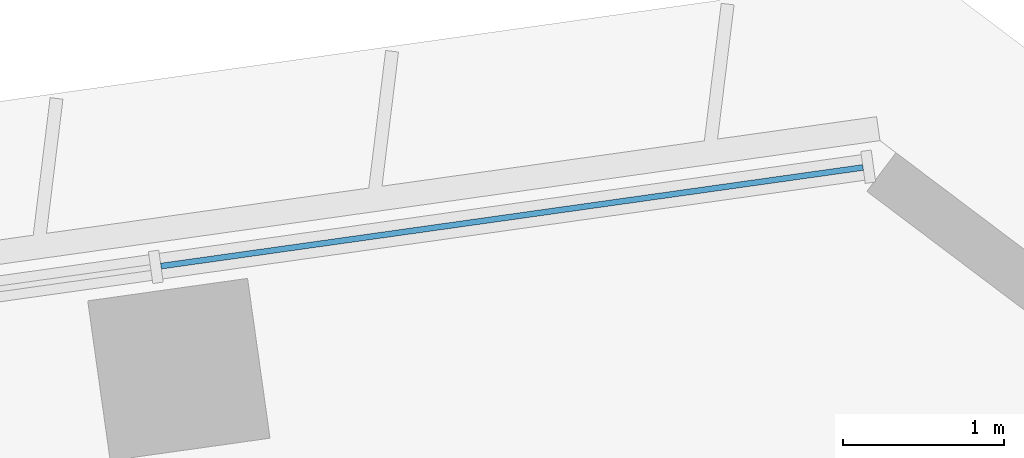
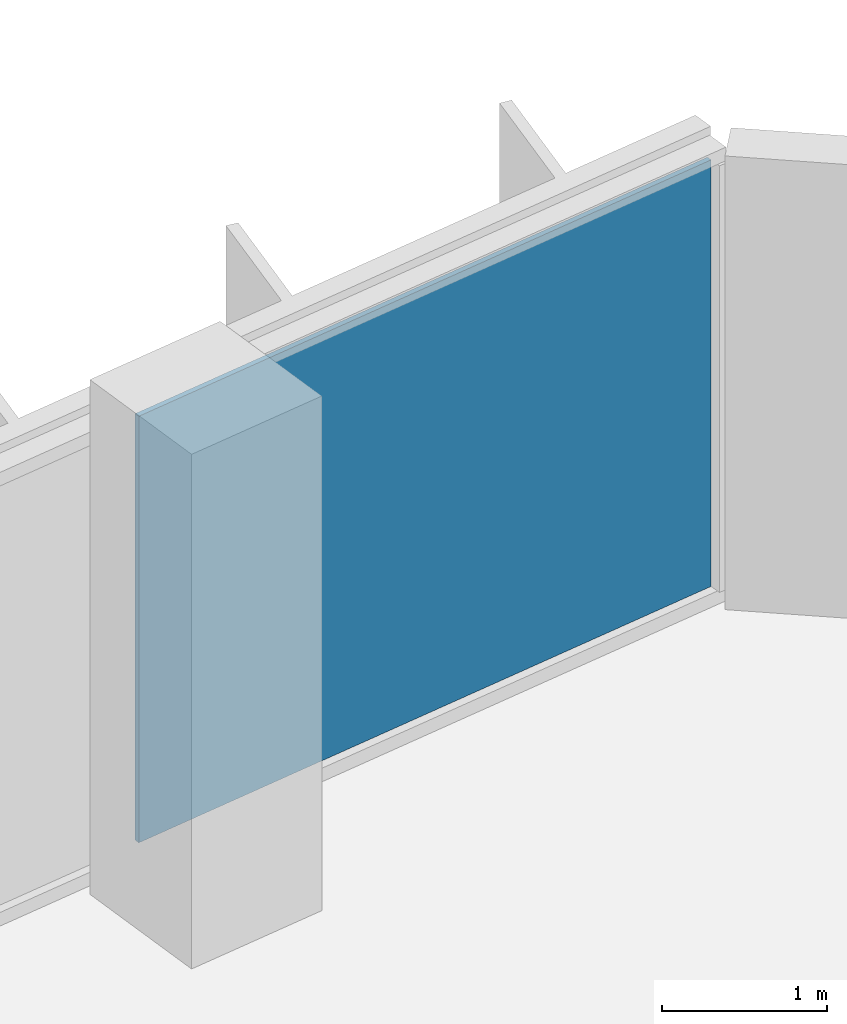
# One storey, part 13 of 24: 1 plate, 1 element without a shape of its own.
"""IFC4 building model written with IfcOpenShell, lengths in metres."""

from ifc_helpers import new_model, si_unit, direction, frame, origin, origin_2d, place, context, subcontext, project, spatial, rectangle, extrude, material, layer, layer_set, type_object, element, aggregate, save


model = new_model("IFC4")

# Units and contexts
model_context = context("Model", 3, precision=1e-05, world=origin(), true_north=direction((0.0, 1.0)))
body_context = subcontext(model_context, "Body", "Model", "MODEL_VIEW")
ifc_project = project(units=[si_unit("LENGTHUNIT", "METRE"), si_unit("AREAUNIT", "SQUARE_METRE"), si_unit("VOLUMEUNIT", "CUBIC_METRE"), si_unit("PLANEANGLEUNIT", "RADIAN"), si_unit("MASSUNIT", "GRAM", prefix="KILO")], contexts=[model_context])

# Site, building, storey
site_placement = place(None, origin())
site = spatial("IfcSite", under=ifc_project, at=site_placement, CompositionType="ELEMENT")
building_placement = place(site_placement, origin())
building = spatial("IfcBuilding", under=site, at=building_placement, Name="Mirante Cascada Hotel Towers", CompositionType="ELEMENT")
storey_placement = place(building_placement, frame((0.0, 0.0, 43.3)))
storey = spatial("IfcBuildingStorey", under=building, at=storey_placement, Name="L07", CompositionType="ELEMENT", Elevation=43.3)

# Curtain wall, plate
ifc_material_1 = material(Name="Aluminium mullion and transom frame with clear laminated glass", Category="aluminium")
curtain_wall_type = type_object("IfcCurtainWallType", Name="Ribbon curtain wall ECW1", PredefinedType="NOTDEFINED", material=ifc_material_1)
curtain_wall_placement = place(storey_placement, origin())
curtain_wall = element("IfcCurtainWall", 1, at=curtain_wall_placement, inside=storey, type_object=curtain_wall_type, Name="Front ribbon wall T2 L07", PredefinedType="NOTDEFINED")
ifc_material_2 = material(Name="Clear laminated glass", Category="glass")
ifc_layer = layer(ifc_material_2, 0.036)
ifc_layer_set = layer_set([ifc_layer], Name="ECW1 glass panel 36")
plate_type = type_object("IfcPlateType", Name="ECW1 glass panel 36", PredefinedType="CURTAIN_PANEL", material=ifc_layer_set)
plate_placement = place(storey_placement, frame((91.9184, 25.7373, 0.1), z_axis=(0.0, 0.0, 1.0), x_axis=(-0.9902681, -0.1391731, 0.0)))
plate = element("IfcPlate", 2, at=plate_placement, type_object=plate_type, Name="ECW1 panel 1", PredefinedType="CURTAIN_PANEL", context=body_context, shape_type="SweptSolid", body=[
    extrude(rectangle(XDim=4.3936, YDim=0.036, at=origin_2d()), origin(), (0.0, 0.0, 1.0), 3.15),
])
aggregate(curtain_wall, [plate])

save(model, "model.ifc")
